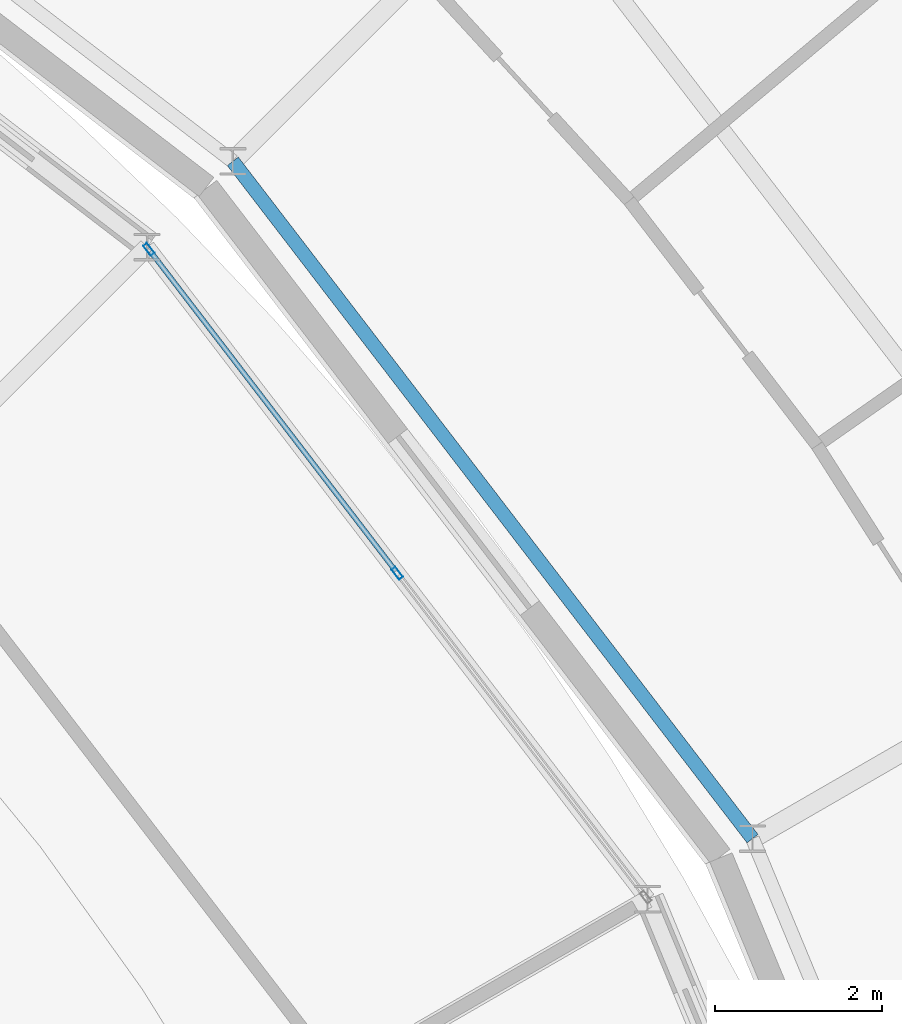
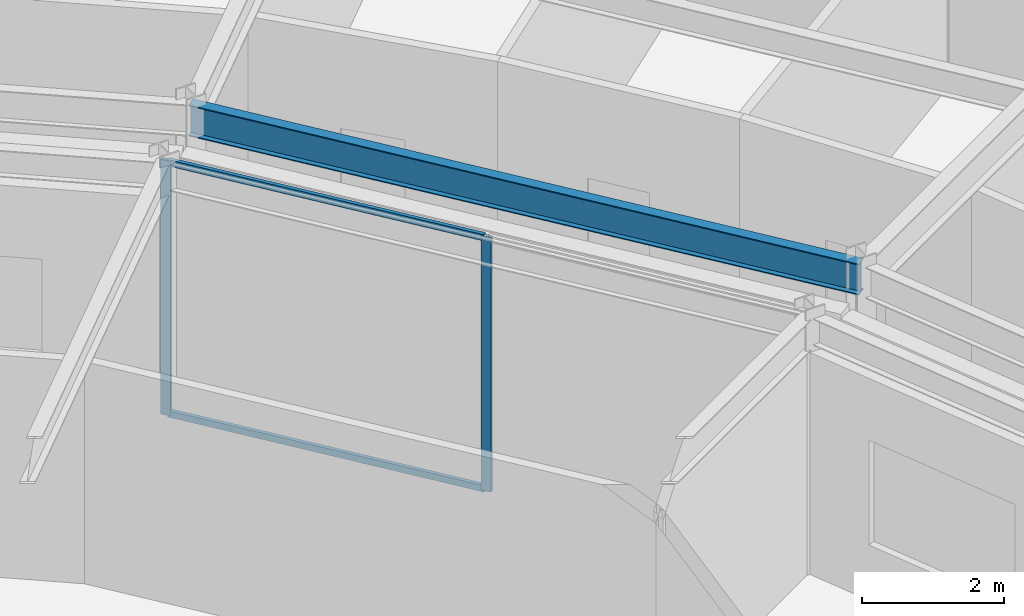
# One storey, part 67 of 133: 4 members, 1 beam, 1 element without a shape of its own.
"""IFC4 building model written with IfcOpenShell, lengths in metres."""

from ifc_helpers import new_model, si_unit, direction, frame, origin, origin_2d, place, context, subcontext, project, spatial, hollow_rectangle, i_section, extrude, material, material_profile, profile_set, type_object, element, aggregate, save


model = new_model("IFC4")

# Units and contexts
model_context = context("Model", 3, precision=1e-05, world=origin(), true_north=direction((0.0, 1.0)))
body_context = subcontext(model_context, "Body", "Model", "MODEL_VIEW")
ifc_project = project(units=[si_unit("LENGTHUNIT", "METRE"), si_unit("AREAUNIT", "SQUARE_METRE"), si_unit("VOLUMEUNIT", "CUBIC_METRE"), si_unit("PLANEANGLEUNIT", "RADIAN"), si_unit("MASSUNIT", "GRAM", prefix="KILO")], contexts=[model_context])

# Site, building, storey
site_placement = place(None, origin())
site = spatial("IfcSite", under=ifc_project, at=site_placement, CompositionType="ELEMENT")
building_placement = place(site_placement, origin())
building = spatial("IfcBuilding", under=site, at=building_placement, Name="Almandine Court Research Institute", CompositionType="ELEMENT")
storey_placement = place(building_placement, frame((0.0, 0.0, 9.800048828125)))
storey = spatial("IfcBuildingStorey", under=building, at=storey_placement, Name="L02", CompositionType="ELEMENT", Elevation=9.800048828125)

# Beam
ifc_material_1 = material(Name="Steel ASTM A992 Grade 50", Category="steel")
ifc_material_profile_1 = material_profile(ifc_material_1, i_section(OverallWidth=0.166015625, OverallDepth=0.534912109375, WebThickness=0.010009765625, FlangeThickness=0.01708984375, at=origin_2d()), Name="W530x85")
ifc_profile_set_1 = profile_set([ifc_material_profile_1], Name="Steel ASTM A992 Grade 50")
beam_type = type_object("IfcBeamType", Name="Beam-G-05-E", PredefinedType="SPANDREL", material=ifc_profile_set_1)
beam_placement = place(storey_placement, frame((120.862060546875, 75.550048828125, 4.10205078125), z_axis=(-0.608784478787, 0.793335653042, 0.0), x_axis=(-0.793335653042, -0.608784478787, 0.0)))
element("IfcBeam", 1, at=beam_placement, inside=storey, type_object=beam_type, Name="L02 Drum IN Ring Beam 02", PredefinedType="SPANDREL", context=body_context, shape_type="SweptSolid", body=[
    extrude(i_section(OverallWidth=0.166015625, OverallDepth=0.534912109375, WebThickness=0.010009765625, FlangeThickness=0.01708984375, at=origin_2d()), origin(), (0.0, 0.0, 1.0), 10.20751953125),
])

# Curtain wall, members
ifc_material_2 = material(Name="Unitised Curtain Wall Framing and Solar Glazing", Category="glass")
curtain_wall_type = type_object("IfcCurtainWallType", Name="CW-CWG-24", PredefinedType="USERDEFINED", material=ifc_material_2)
curtain_wall_placement = place(storey_placement, origin())
curtain_wall = element("IfcCurtainWall", 2, at=curtain_wall_placement, inside=storey, type_object=curtain_wall_type, Name="L02 Interaction Atrium Perimeter Curtain Wall 02", ObjectType="UNITISED GLAZING", PredefinedType="USERDEFINED")
ifc_material_3 = material(Name="Anodised Aluminium AW-6063-T6", Category="aluminium")
ifc_material_profile_2 = material_profile(ifc_material_3, hollow_rectangle(XDim=0.06005859375, YDim=0.14990234375, WallThickness=0.00390625, at=origin_2d()), Name="ALU RHS 60x150x4")
ifc_profile_set_2 = profile_set([ifc_material_profile_2], Name="Anodised Aluminium AW-6063-T6")
member_type_1 = type_object("IfcMemberType", Name="CWMul-60x150", PredefinedType="MULLION", material=ifc_profile_set_2)
member_1_placement = place(storey_placement, frame((113.643310546875, 82.59619140625, 0.0), z_axis=(0.0, 0.0, 1.0), x_axis=(0.793353924979, 0.608760667029, 0.0)))
member_1 = element("IfcMember", 3, at=member_1_placement, type_object=member_type_1, Name="CWG-24 mullion 1", PredefinedType="MULLION", context=body_context, shape_type="SweptSolid", body=[
    extrude(hollow_rectangle(XDim=0.06005859375, YDim=0.14990234375, WallThickness=0.00390625, at=origin_2d()), origin(), (0.0, 0.0, 1.0), 4.369873046875),
])
member_2_placement = place(storey_placement, frame((116.614501953125, 78.72412109375, 0.0), z_axis=(0.0, 0.0, 1.0), x_axis=(0.793353924979, 0.608760667029, 0.0)))
member_2 = element("IfcMember", 4, at=member_2_placement, type_object=member_type_1, Name="CWG-24 mullion 2", PredefinedType="MULLION", context=body_context, shape_type="SweptSolid", body=[
    extrude(hollow_rectangle(XDim=0.06005859375, YDim=0.14990234375, WallThickness=0.00390625, at=origin_2d()), origin(), (0.0, 0.0, 1.0), 4.369873046875),
])
ifc_material_profile_3 = material_profile(ifc_material_3, hollow_rectangle(XDim=0.06005859375, YDim=0.110107421875, WallThickness=0.00390625, at=origin_2d()), Name="ALU RHS 60x110x4")
ifc_profile_set_3 = profile_set([ifc_material_profile_3], Name="Anodised Aluminium AW-6063-T6")
member_type_2 = type_object("IfcMemberType", Name="CWTrn-60x110", PredefinedType="NOTDEFINED", material=ifc_profile_set_3)
member_3_placement = place(storey_placement, frame((113.66162109375, 82.572509765625, 0.030029296875), z_axis=(0.608731319349, -0.793376443338, 0.0), x_axis=(0.793376443338, 0.608731319349, 0.0)))
member_3 = element("IfcMember", 5, at=member_3_placement, type_object=member_type_2, Name="CWG-24 transom 1.1", ObjectType="TRANSOM", PredefinedType="USERDEFINED", context=body_context, shape_type="SweptSolid", body=[
    extrude(hollow_rectangle(XDim=0.06005859375, YDim=0.110107421875, WallThickness=0.00390625, at=origin_2d()), origin(), (0.0, 0.0, 1.0), 4.82080078125),
])
member_4_placement = place(storey_placement, frame((113.66162109375, 82.572509765625, 4.33984375), z_axis=(0.608731319349, -0.793376443338, 0.0), x_axis=(0.793376443338, 0.608731319349, 0.0)))
member_4 = element("IfcMember", 6, at=member_4_placement, type_object=member_type_2, Name="CWG-24 transom 1.2", ObjectType="TRANSOM", PredefinedType="USERDEFINED", context=body_context, shape_type="SweptSolid", body=[
    extrude(hollow_rectangle(XDim=0.06005859375, YDim=0.110107421875, WallThickness=0.00390625, at=origin_2d()), origin(), (0.0, 0.0, 1.0), 4.82080078125),
])
aggregate(curtain_wall, [member_1, member_2, member_3, member_4])

save(model, "model.ifc")
